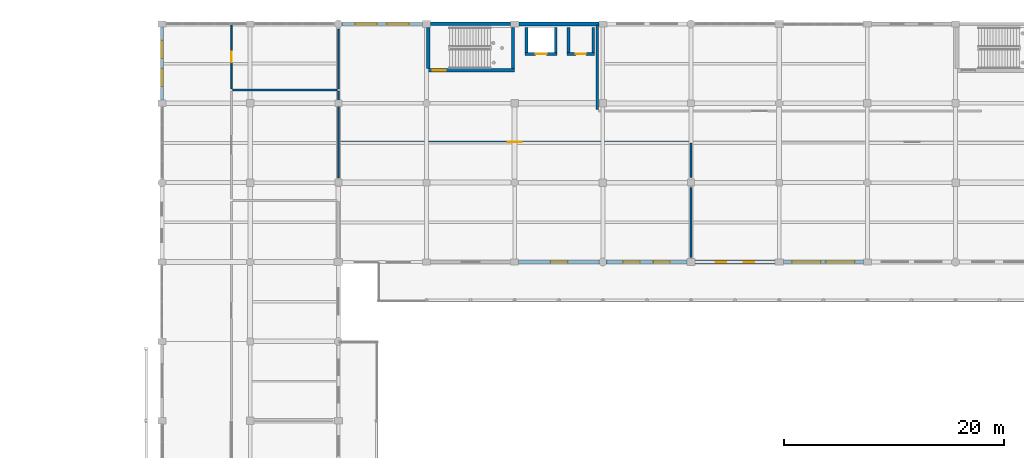
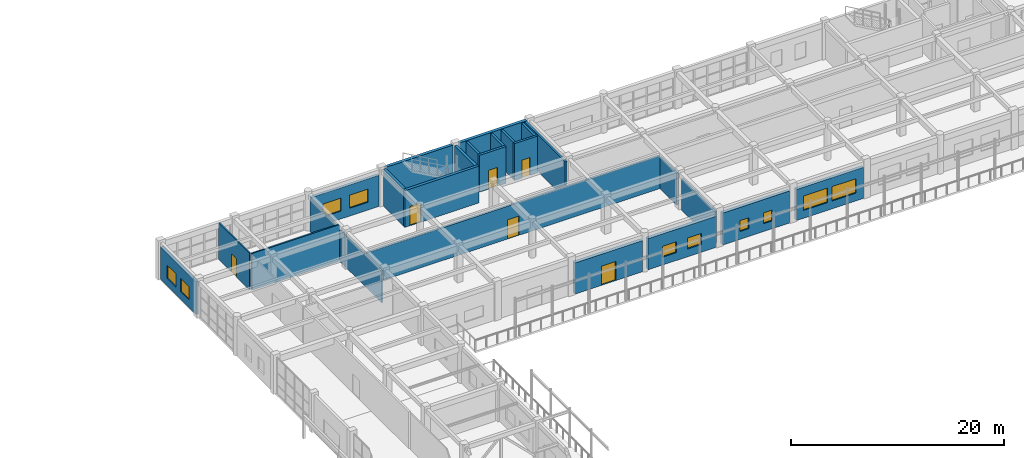
# One storey, part 131 of 160: 25 walls, 10 windows, 6 doors, 16 openings.
"""IFC4 building model written with IfcOpenShell, lengths in metres."""

from ifc_helpers import new_model, si_unit, direction, frame, frame_2d, origin, place, context, subcontext, project, spatial, rectangle, extrude, material, layer, layer_set, type_object, element, fill, save


model = new_model("IFC4")

# Units and contexts
model_context = context("Model", 3, precision=1e-05, world=origin(), true_north=direction((0.0, 1.0)))
body_context = subcontext(model_context, "Body", "Model", "MODEL_VIEW")
ifc_project = project(units=[si_unit("LENGTHUNIT", "METRE"), si_unit("AREAUNIT", "SQUARE_METRE"), si_unit("VOLUMEUNIT", "CUBIC_METRE"), si_unit("PLANEANGLEUNIT", "RADIAN"), si_unit("MASSUNIT", "GRAM", prefix="KILO")], contexts=[model_context])

# Site, building, storey
site_placement = place(None, origin())
site = spatial("IfcSite", under=ifc_project, at=site_placement, CompositionType="ELEMENT")
building_placement = place(site_placement, origin())
building = spatial("IfcBuilding", under=site, at=building_placement, Name="Kharva Crest Polytechnic", CompositionType="ELEMENT")
storey_placement = place(building_placement, frame((0.0, 0.0, 4.5)))
storey = spatial("IfcBuildingStorey", under=building, at=storey_placement, Name="L01", CompositionType="ELEMENT", Elevation=4.5)

# Wall, opening, door
ifc_material_1 = material(Name="Concrete C40/50", Category="concrete")
ifc_layer_1 = layer(ifc_material_1, 0.300048828125, Name="Concrete C40/50")
ifc_layer_set_1 = layer_set([ifc_layer_1], Name="Concrete C40/50")
wall_type_1 = type_object("IfcWallType", Name="WL-CORE-CW2-300", PredefinedType="SHEAR", material=ifc_layer_set_1)
wall_1_placement = place(storey_placement, frame((56.0, 117.7900390625, 0.0), z_axis=(0.0, 0.0, 1.0), x_axis=(1.0, 0.0, 0.0)))
wall_1 = element("IfcWall", 1, at=wall_1_placement, inside=storey, type_object=wall_type_1, Name="L01 North-West Lab Core C3 South Shear Wall", PredefinedType="SHEAR", context=body_context, shape_type="SweptSolid", body=[
    extrude(rectangle(XDim=8.0, YDim=0.300048828125, at=frame_2d((4.0, 0.0))), origin(), (0.0, 0.0, 1.0), 4.219970703125),
])
opening_1_placement = place(wall_1_placement, frame((0.550048828125, 0.0, 0.0)))
opening_1 = element("IfcOpeningElement", 2, at=opening_1_placement, cuts=wall_1, Name="Opening FD1", PredefinedType="OPENING", context=body_context, shape_type="SweptSolid", body=[
    extrude(rectangle(XDim=1.199951171875, YDim=2.199951171875, at=frame_2d((0.60009765625, 1.10009765625))), frame((0.0, 0.159912109375, 0.0), z_axis=(0.0, -1.0, 0.0), x_axis=(1.0, 0.0, 0.0)), (0.0, 0.0, 1.0), 0.320068359375),
])
ifc_material_2 = material(Name="Teak timber", Category="wood")
door_type_1 = type_object("IfcDoorType", Name="DR-STAIR-1200X2200", OperationType="NOTDEFINED", PredefinedType="DOOR", material=ifc_material_2)
door_1_placement = place(opening_1_placement, origin())
door_1 = element("IfcDoor", 3, at=door_1_placement, inside=storey, type_object=door_type_1, Name="L01 ST-03 Stair Door", OperationType="SINGLE_SWING_LEFT", OverallHeight=2.199951171875, OverallWidth=1.199951171875, PredefinedType="DOOR", context=body_context, shape_type="SweptSolid", body=[
    extrude(rectangle(XDim=1.199951171875, YDim=2.199951171875, at=frame_2d((0.60009765625, 1.10009765625))), frame((0.0, 0.02490234375, 0.0), z_axis=(0.0, -1.0, 0.0), x_axis=(1.0, 0.0, 0.0)), (0.0, 0.0, 1.0), 0.050048828125),
])
fill(opening_1, door_1)

# Walls
for number, where, z_axis, x_axis, name in (
    (4, (56.14990234375, 117.93994140625, 0.0), (0.0, 0.0, 1.0), (0.0, 1.0, 0.0), "L01 North-West Lab Core C3 West Shear Wall"),
    (5, (63.85009765625, 117.93994140625, 0.0), (0.0, 0.0, 1.0), (0.0, 1.0, 0.0), "L01 North-West Lab Core C3 East Shear Wall"),
):
    element("IfcWall", number, at=place(storey_placement, frame(where, z_axis=z_axis, x_axis=x_axis)), inside=storey, type_object=wall_type_1, Name=name, PredefinedType="SHEAR", context=body_context, shape_type="SweptSolid", body=[
        extrude(rectangle(XDim=3.760009765625, YDim=0.300048828125, at=frame_2d((1.8798828125, 0.0))), origin(), (0.0, 0.0, 1.0), 4.219970703125),
    ])

# Wall, openings, windows
ifc_material_3 = material(Name="Kiln brick masonry", Category="masonry")
ifc_layer_2 = layer(ifc_material_3, 0.260009765625, Name="Kiln brick masonry")
ifc_layer_set_2 = layer_set([ifc_layer_2], Name="Kiln brick masonry")
wall_type_2 = type_object("IfcWallType", Name="WL-EXT-BRK-260", PredefinedType="SOLIDWALL", material=ifc_layer_set_2)
wall_2_placement = place(storey_placement, frame((32.0, 121.72998046875, 0.0), z_axis=(0.0, 0.0, 1.0), x_axis=(0.0, -1.0, 0.0)))
wall_2 = element("IfcWall", 6, at=wall_2_placement, inside=storey, type_object=wall_type_2, Name="L01 Exterior Brick Wall 211", PredefinedType="SOLIDWALL", context=body_context, shape_type="SweptSolid", body=[
    extrude(rectangle(XDim=6.635009765625, YDim=0.260009765625, at=frame_2d((3.3173828125, 0.0))), origin(), (0.0, 0.0, 1.0), 3.760009765625),
])
opening_2_placement = place(wall_2_placement, frame((1.251953125, 0.0, 0.89990234375)))
opening_2 = element("IfcOpeningElement", 7, at=opening_2_placement, cuts=wall_2, Name="Opening W14", PredefinedType="OPENING", context=body_context, shape_type="SweptSolid", body=[
    extrude(rectangle(XDim=1.60009765625, YDim=1.5, at=frame_2d((0.800048828125, 0.75))), frame((0.0, 0.139892578125, 0.0), z_axis=(0.0, -1.0, 0.0), x_axis=(1.0, 0.0, 0.0)), (0.0, 0.0, 1.0), 0.280029296875),
])
opening_3_placement = place(wall_2_placement, frame((3.782958984375, 0.0, 0.89990234375)))
opening_3 = element("IfcOpeningElement", 8, at=opening_3_placement, cuts=wall_2, Name="Opening W14", PredefinedType="OPENING", context=body_context, shape_type="SweptSolid", body=[
    extrude(rectangle(XDim=1.60009765625, YDim=1.5, at=frame_2d((0.800048828125, 0.75))), frame((0.0, 0.139892578125, 0.0), z_axis=(0.0, -1.0, 0.0), x_axis=(1.0, 0.0, 0.0)), (0.0, 0.0, 1.0), 0.280029296875),
])
ifc_material_4 = material(Name="Anodised aluminium", Category="aluminium")
window_type_1 = type_object("IfcWindowType", Name="WIN-ALU-1600X1500", PartitioningType="SINGLE_PANEL", PredefinedType="WINDOW", material=ifc_material_4)
window_1_placement = place(opening_2_placement, origin())
window_1 = element("IfcWindow", 9, at=window_1_placement, inside=storey, type_object=window_type_1, Name="L01 Exterior Window 276", OverallHeight=1.5, OverallWidth=1.60009765625, PartitioningType="SINGLE_PANEL", PredefinedType="WINDOW", context=body_context, shape_type="SweptSolid", body=[
    extrude(rectangle(XDim=1.60009765625, YDim=1.5, at=frame_2d((0.800048828125, 0.75))), frame((0.0, 0.030029296875, 0.0), z_axis=(0.0, -1.0, 0.0), x_axis=(1.0, 0.0, 0.0)), (0.0, 0.0, 1.0), 0.06005859375),
])
fill(opening_2, window_1)
window_2_placement = place(opening_3_placement, origin())
window_2 = element("IfcWindow", 10, at=window_2_placement, inside=storey, type_object=window_type_1, Name="L01 Exterior Window 277", OverallHeight=1.5, OverallWidth=1.60009765625, PartitioningType="SINGLE_PANEL", PredefinedType="WINDOW", context=body_context, shape_type="SweptSolid", body=[
    extrude(rectangle(XDim=1.60009765625, YDim=1.5, at=frame_2d((0.800048828125, 0.75))), frame((0.0, 0.030029296875, 0.0), z_axis=(0.0, -1.0, 0.0), x_axis=(1.0, 0.0, 0.0)), (0.0, 0.0, 1.0), 0.06005859375),
])
fill(opening_3, window_2)

ifc_layer_3 = layer(ifc_material_3, 0.304931640625, Name="Kiln brick masonry")
ifc_layer_set_3 = layer_set([ifc_layer_3], Name="Kiln brick masonry")
wall_type_3 = type_object("IfcWallType", Name="WL-EXT-BRK-305", PredefinedType="SOLIDWALL", material=ifc_layer_set_3)
wall_3_placement = place(storey_placement, frame((55.6298828125, 122.0, 0.0), z_axis=(0.0, 0.0, 1.0), x_axis=(-1.0, 0.0, 0.0)))
wall_3 = element("IfcWall", 11, at=wall_3_placement, inside=storey, type_object=wall_type_3, Name="L01 Exterior Brick Wall 210", PredefinedType="SOLIDWALL", context=body_context, shape_type="SweptSolid", body=[
    extrude(rectangle(XDim=7.327392578125, YDim=0.304931640625, at=frame_2d((3.66357421875, 0.0))), origin(), (0.0, 0.0, 1.0), 3.570068359375),
])
opening_4_placement = place(wall_3_placement, frame((1.216064453125, 0.0, 0.89990234375)))
opening_4 = element("IfcOpeningElement", 12, at=opening_4_placement, cuts=wall_3, Name="Opening W12", PredefinedType="OPENING", context=body_context, shape_type="SweptSolid", body=[
    extrude(rectangle(XDim=2.0, YDim=1.5, at=frame_2d((1.0, 0.75))), frame((0.0, 0.162353515625, 0.0), z_axis=(0.0, -1.0, 0.0), x_axis=(1.0, 0.0, 0.0)), (0.0, 0.0, 1.0), 0.324951171875),
])
opening_5_placement = place(wall_3_placement, frame((4.112060546875, 0.0, 0.89990234375)))
opening_5 = element("IfcOpeningElement", 13, at=opening_5_placement, cuts=wall_3, Name="Opening W12", PredefinedType="OPENING", context=body_context, shape_type="SweptSolid", body=[
    extrude(rectangle(XDim=2.0, YDim=1.5, at=frame_2d((1.0, 0.75))), frame((0.0, 0.162353515625, 0.0), z_axis=(0.0, -1.0, 0.0), x_axis=(1.0, 0.0, 0.0)), (0.0, 0.0, 1.0), 0.324951171875),
])
window_type_2 = type_object("IfcWindowType", Name="WIN-ALU-2000X1500", PartitioningType="SINGLE_PANEL", PredefinedType="WINDOW", material=ifc_material_4)
window_3_placement = place(opening_4_placement, origin())
window_3 = element("IfcWindow", 14, at=window_3_placement, inside=storey, type_object=window_type_2, Name="L01 Exterior Window 274", OverallHeight=1.5, OverallWidth=2.0, PartitioningType="SINGLE_PANEL", PredefinedType="WINDOW", context=body_context, shape_type="SweptSolid", body=[
    extrude(rectangle(XDim=2.0, YDim=1.5, at=frame_2d((1.0, 0.75))), frame((0.0, 0.030029296875, 0.0), z_axis=(0.0, -1.0, 0.0), x_axis=(1.0, 0.0, 0.0)), (0.0, 0.0, 1.0), 0.06005859375),
])
fill(opening_4, window_3)
window_4_placement = place(opening_5_placement, origin())
window_4 = element("IfcWindow", 15, at=window_4_placement, inside=storey, type_object=window_type_2, Name="L01 Exterior Window 275", OverallHeight=1.5, OverallWidth=2.0, PartitioningType="SINGLE_PANEL", PredefinedType="WINDOW", context=body_context, shape_type="SweptSolid", body=[
    extrude(rectangle(XDim=2.0, YDim=1.5, at=frame_2d((1.0, 0.75))), frame((0.0, 0.030029296875, 0.0), z_axis=(0.0, -1.0, 0.0), x_axis=(1.0, 0.0, 0.0)), (0.0, 0.0, 1.0), 0.06005859375),
])
fill(opening_5, window_4)

# Wall
ifc_layer_4 = layer(ifc_material_3, 0.320068359375, Name="Kiln brick masonry")
ifc_layer_set_4 = layer_set([ifc_layer_4], Name="Kiln brick masonry")
wall_type_4 = type_object("IfcWallType", Name="WL-EXT-BRK-320", PredefinedType="SOLIDWALL", material=ifc_layer_set_4)
wall_4_placement = place(storey_placement, frame((63.6298828125, 122.0, 0.0), z_axis=(0.0, 0.0, 1.0), x_axis=(-1.0, 0.0, 0.0)))
element("IfcWall", 16, at=wall_4_placement, inside=storey, type_object=wall_type_4, Name="L01 Exterior Brick Wall 209", PredefinedType="SOLIDWALL", context=body_context, shape_type="SweptSolid", body=[
    extrude(rectangle(XDim=7.259765625, YDim=0.320068359375, at=frame_2d((3.6298828125, 0.0))), origin(), (0.0, 0.0, 1.0), 4.219970703125),
])

# Wall, openings, windows
ifc_layer_5 = layer(ifc_material_3, 0.3349609375, Name="Kiln brick masonry")
ifc_layer_set_5 = layer_set([ifc_layer_5], Name="Kiln brick masonry")
wall_type_5 = type_object("IfcWallType", Name="WL-EXT-BRK-335", PredefinedType="SOLIDWALL", material=ifc_layer_set_5)
wall_5_placement = place(storey_placement, frame((88.3701171875, 100.39990234375, 0.0), z_axis=(0.0, 0.0, 1.0), x_axis=(1.0, 0.0, 0.0)))
wall_5 = element("IfcWall", 17, at=wall_5_placement, inside=storey, type_object=wall_type_5, Name="L01 Exterior Brick Wall 183", PredefinedType="SOLIDWALL", context=body_context, shape_type="SweptSolid", body=[
    extrude(rectangle(XDim=7.27490234375, YDim=0.3349609375, at=frame_2d((3.637451171875, 0.0))), origin(), (0.0, 0.0, 1.0), 3.570068359375),
])
opening_6_placement = place(wall_5_placement, frame((0.798095703125, 0.0, 0.89990234375)))
opening_6 = element("IfcOpeningElement", 18, at=opening_6_placement, cuts=wall_5, Name="Opening W24", PredefinedType="OPENING", context=body_context, shape_type="SweptSolid", body=[
    extrude(rectangle(XDim=2.60009765625, YDim=1.64990234375, at=frame_2d((1.300048828125, 0.824951171875))), frame((0.0, 0.177490234375, 0.0), z_axis=(0.0, -1.0, 0.0), x_axis=(1.0, 0.0, 0.0)), (0.0, 0.0, 1.0), 0.35498046875),
])
opening_7_placement = place(wall_5_placement, frame((3.876953125, 0.0, 0.89990234375)))
opening_7 = element("IfcOpeningElement", 19, at=opening_7_placement, cuts=wall_5, Name="Opening W24", PredefinedType="OPENING", context=body_context, shape_type="SweptSolid", body=[
    extrude(rectangle(XDim=2.60009765625, YDim=1.64990234375, at=frame_2d((1.300048828125, 0.824951171875))), frame((0.0, 0.177490234375, 0.0), z_axis=(0.0, -1.0, 0.0), x_axis=(1.0, 0.0, 0.0)), (0.0, 0.0, 1.0), 0.35498046875),
])
window_type_3 = type_object("IfcWindowType", Name="WIN-ALU-2600X1650", PartitioningType="SINGLE_PANEL", PredefinedType="WINDOW", material=ifc_material_4)
window_5_placement = place(opening_6_placement, origin())
window_5 = element("IfcWindow", 20, at=window_5_placement, inside=storey, type_object=window_type_3, Name="L01 Exterior Window 238", OverallHeight=1.64990234375, OverallWidth=2.60009765625, PartitioningType="SINGLE_PANEL", PredefinedType="WINDOW", context=body_context, shape_type="SweptSolid", body=[
    extrude(rectangle(XDim=2.60009765625, YDim=1.64990234375, at=frame_2d((1.300048828125, 0.824951171875))), frame((0.0, 0.030029296875, 0.0), z_axis=(0.0, -1.0, 0.0), x_axis=(1.0, 0.0, 0.0)), (0.0, 0.0, 1.0), 0.06005859375),
])
fill(opening_6, window_5)
window_6_placement = place(opening_7_placement, origin())
window_6 = element("IfcWindow", 21, at=window_6_placement, inside=storey, type_object=window_type_3, Name="L01 Exterior Window 239", OverallHeight=1.64990234375, OverallWidth=2.60009765625, PartitioningType="SINGLE_PANEL", PredefinedType="WINDOW", context=body_context, shape_type="SweptSolid", body=[
    extrude(rectangle(XDim=2.60009765625, YDim=1.64990234375, at=frame_2d((1.300048828125, 0.824951171875))), frame((0.0, 0.030029296875, 0.0), z_axis=(0.0, -1.0, 0.0), x_axis=(1.0, 0.0, 0.0)), (0.0, 0.0, 1.0), 0.06005859375),
])
fill(opening_7, window_6)

# Wall
wall_6_placement = place(storey_placement, frame((71.64501953125, 122.0, 0.0), z_axis=(0.0, 0.0, 1.0), x_axis=(-1.0, 0.0, 0.0)))
element("IfcWall", 22, at=wall_6_placement, inside=storey, type_object=wall_type_5, Name="L01 Exterior Brick Wall 208", PredefinedType="SOLIDWALL", context=body_context, shape_type="SweptSolid", body=[
    extrude(rectangle(XDim=7.27490234375, YDim=0.3349609375, at=frame_2d((3.637451171875, 0.0))), origin(), (0.0, 0.0, 1.0), 4.219970703125),
])

# Wall, openings, windows
ifc_layer_6 = layer(ifc_material_3, 0.35009765625, Name="Kiln brick masonry")
ifc_layer_set_6 = layer_set([ifc_layer_6], Name="Kiln brick masonry")
wall_type_6 = type_object("IfcWallType", Name="WL-EXT-BRK-350", PredefinedType="SOLIDWALL", material=ifc_layer_set_6)
wall_7_placement = place(storey_placement, frame((80.3701171875, 100.39990234375, 0.0), z_axis=(0.0, 0.0, 1.0), x_axis=(1.0, 0.0, 0.0)))
wall_7 = element("IfcWall", 23, at=wall_7_placement, inside=storey, type_object=wall_type_6, Name="L01 Exterior Brick Wall 182", PredefinedType="SOLIDWALL", context=body_context, shape_type="SweptSolid", body=[
    extrude(rectangle(XDim=7.259765625, YDim=0.35009765625, at=frame_2d((3.6298828125, 0.0))), origin(), (0.0, 0.0, 1.0), 3.669921875),
])
opening_8_placement = place(wall_7_placement, frame((1.89306640625, 0.0, 0.89990234375)))
opening_8 = element("IfcOpeningElement", 24, at=opening_8_placement, cuts=wall_7, Name="Opening W22", PredefinedType="OPENING", context=body_context, shape_type="SweptSolid", body=[
    extrude(rectangle(XDim=0.949951171875, YDim=1.25, at=frame_2d((0.47509765625, 0.625))), frame((0.0, 0.18505859375, 0.0), z_axis=(0.0, -1.0, 0.0), x_axis=(1.0, 0.0, 0.0)), (0.0, 0.0, 1.0), 0.3701171875),
])
opening_9_placement = place(wall_7_placement, frame((4.4169921875, 0.0, 0.89990234375)))
opening_9 = element("IfcOpeningElement", 25, at=opening_9_placement, cuts=wall_7, Name="Opening W22", PredefinedType="OPENING", context=body_context, shape_type="SweptSolid", body=[
    extrude(rectangle(XDim=0.949951171875, YDim=1.25, at=frame_2d((0.47509765625, 0.625))), frame((0.0, 0.18505859375, 0.0), z_axis=(0.0, -1.0, 0.0), x_axis=(1.0, 0.0, 0.0)), (0.0, 0.0, 1.0), 0.3701171875),
])
window_type_4 = type_object("IfcWindowType", Name="WIN-ALU-950X1250", PartitioningType="SINGLE_PANEL", PredefinedType="WINDOW", material=ifc_material_4)
window_7_placement = place(opening_8_placement, origin())
window_7 = element("IfcWindow", 26, at=window_7_placement, inside=storey, type_object=window_type_4, Name="L01 Exterior Window 236", OverallHeight=1.25, OverallWidth=0.949951171875, PartitioningType="SINGLE_PANEL", PredefinedType="WINDOW", context=body_context, shape_type="SweptSolid", body=[
    extrude(rectangle(XDim=0.949951171875, YDim=1.25, at=frame_2d((0.47509765625, 0.625))), frame((0.0, 0.030029296875, 0.0), z_axis=(0.0, -1.0, 0.0), x_axis=(1.0, 0.0, 0.0)), (0.0, 0.0, 1.0), 0.06005859375),
])
fill(opening_8, window_7)
window_8_placement = place(opening_9_placement, origin())
window_8 = element("IfcWindow", 27, at=window_8_placement, inside=storey, type_object=window_type_4, Name="L01 Exterior Window 237", OverallHeight=1.25, OverallWidth=0.949951171875, PartitioningType="SINGLE_PANEL", PredefinedType="WINDOW", context=body_context, shape_type="SweptSolid", body=[
    extrude(rectangle(XDim=0.949951171875, YDim=1.25, at=frame_2d((0.47509765625, 0.625))), frame((0.0, 0.030029296875, 0.0), z_axis=(0.0, -1.0, 0.0), x_axis=(1.0, 0.0, 0.0)), (0.0, 0.0, 1.0), 0.06005859375),
])
fill(opening_9, window_8)

ifc_layer_7 = layer(ifc_material_3, 0.364990234375, Name="Kiln brick masonry")
ifc_layer_set_7 = layer_set([ifc_layer_7], Name="Kiln brick masonry")
wall_type_7 = type_object("IfcWallType", Name="WL-EXT-BRK-365", PredefinedType="SOLIDWALL", material=ifc_layer_set_7)
wall_8_placement = place(storey_placement, frame((72.302490234375, 100.39990234375, 0.0), z_axis=(0.0, 0.0, 1.0), x_axis=(1.0, 0.0, 0.0)))
wall_8 = element("IfcWall", 28, at=wall_8_placement, inside=storey, type_object=wall_type_7, Name="L01 Exterior Brick Wall 181", PredefinedType="SOLIDWALL", context=body_context, shape_type="SweptSolid", body=[
    extrude(rectangle(XDim=7.327392578125, YDim=0.364990234375, at=frame_2d((3.66357421875, 0.0))), origin(), (0.0, 0.0, 1.0), 3.570068359375),
])
opening_10_placement = place(wall_8_placement, frame((1.549072265625, 0.0, 0.89990234375)))
opening_10 = element("IfcOpeningElement", 29, at=opening_10_placement, cuts=wall_8, Name="Opening W20", PredefinedType="OPENING", context=body_context, shape_type="SweptSolid", body=[
    extrude(rectangle(XDim=1.5, YDim=1.25, at=frame_2d((0.75, 0.625))), frame((0.0, 0.1923828125, 0.0), z_axis=(0.0, -1.0, 0.0), x_axis=(1.0, 0.0, 0.0)), (0.0, 0.0, 1.0), 0.385009765625),
])
opening_11_placement = place(wall_8_placement, frame((4.278076171875, 0.0, 0.89990234375)))
opening_11 = element("IfcOpeningElement", 30, at=opening_11_placement, cuts=wall_8, Name="Opening W20", PredefinedType="OPENING", context=body_context, shape_type="SweptSolid", body=[
    extrude(rectangle(XDim=1.5, YDim=1.25, at=frame_2d((0.75, 0.625))), frame((0.0, 0.1923828125, 0.0), z_axis=(0.0, -1.0, 0.0), x_axis=(1.0, 0.0, 0.0)), (0.0, 0.0, 1.0), 0.385009765625),
])
window_type_5 = type_object("IfcWindowType", Name="WIN-ALU-1500X1250", PartitioningType="SINGLE_PANEL", PredefinedType="WINDOW", material=ifc_material_4)
window_9_placement = place(opening_10_placement, origin())
window_9 = element("IfcWindow", 31, at=window_9_placement, inside=storey, type_object=window_type_5, Name="L01 Exterior Window 234", OverallHeight=1.25, OverallWidth=1.5, PartitioningType="SINGLE_PANEL", PredefinedType="WINDOW", context=body_context, shape_type="SweptSolid", body=[
    extrude(rectangle(XDim=1.5, YDim=1.25, at=frame_2d((0.75, 0.625))), frame((0.0, 0.030029296875, 0.0), z_axis=(0.0, -1.0, 0.0), x_axis=(1.0, 0.0, 0.0)), (0.0, 0.0, 1.0), 0.06005859375),
])
fill(opening_10, window_9)
window_10_placement = place(opening_11_placement, origin())
window_10 = element("IfcWindow", 32, at=window_10_placement, inside=storey, type_object=window_type_5, Name="L01 Exterior Window 235", OverallHeight=1.25, OverallWidth=1.5, PartitioningType="SINGLE_PANEL", PredefinedType="WINDOW", context=body_context, shape_type="SweptSolid", body=[
    extrude(rectangle(XDim=1.5, YDim=1.25, at=frame_2d((0.75, 0.625))), frame((0.0, 0.030029296875, 0.0), z_axis=(0.0, -1.0, 0.0), x_axis=(1.0, 0.0, 0.0)), (0.0, 0.0, 1.0), 0.06005859375),
])
fill(opening_11, window_10)

# Wall, opening, door
ifc_layer_8 = layer(ifc_material_3, 0.3798828125, Name="Kiln brick masonry")
ifc_layer_set_8 = layer_set([ifc_layer_8], Name="Kiln brick masonry")
wall_type_8 = type_object("IfcWallType", Name="WL-EXT-BRK-380", PredefinedType="SOLIDWALL", material=ifc_layer_set_8)
wall_9_placement = place(storey_placement, frame((64.35498046875, 100.39990234375, 0.0), z_axis=(0.0, 0.0, 1.0), x_axis=(1.0, 0.0, 0.0)))
wall_9 = element("IfcWall", 33, at=wall_9_placement, inside=storey, type_object=wall_type_8, Name="L01 Exterior Brick Wall 180", PredefinedType="SOLIDWALL", context=body_context, shape_type="SweptSolid", body=[
    extrude(rectangle(XDim=7.342529296875, YDim=0.3798828125, at=frame_2d((3.67138671875, 0.0))), origin(), (0.0, 0.0, 1.0), 3.570068359375),
])
opening_12_placement = place(wall_9_placement, frame((2.89599609375, 0.0, 0.0)))
opening_12 = element("IfcOpeningElement", 34, at=opening_12_placement, cuts=wall_9, Name="Opening ED8", PredefinedType="OPENING", context=body_context, shape_type="SweptSolid", body=[
    extrude(rectangle(XDim=1.550048828125, YDim=2.199951171875, at=frame_2d((0.77490234375, 1.10009765625))), frame((0.0, 0.199951171875, 0.0), z_axis=(0.0, -1.0, 0.0), x_axis=(1.0, 0.0, 0.0)), (0.0, 0.0, 1.0), 0.39990234375),
])
door_type_2 = type_object("IfcDoorType", Name="DR-EXT-TER-1550X2200", OperationType="NOTDEFINED", PredefinedType="DOOR", material=ifc_material_4)
door_2_placement = place(opening_12_placement, frame((1.550048828125, 0.0, 0.0), z_axis=(0.0, 0.0, 1.0), x_axis=(-1.0, 0.0, 0.0)))
door_2 = element("IfcDoor", 35, at=door_2_placement, inside=storey, type_object=door_type_2, Name="L01 VER_N_L01 Access Door 37", OperationType="DOUBLE_DOOR_SINGLE_SWING", OverallHeight=2.199951171875, OverallWidth=1.550048828125, PredefinedType="DOOR", context=body_context, shape_type="SweptSolid", body=[
    extrude(rectangle(XDim=1.550048828125, YDim=2.199951171875, at=frame_2d((0.77490234375, 1.10009765625))), frame((0.0, 0.02490234375, 0.0), z_axis=(0.0, -1.0, 0.0), x_axis=(1.0, 0.0, 0.0)), (0.0, 0.0, 1.0), 0.050048828125),
])
fill(opening_12, door_2)

# Wall
ifc_layer_9 = layer(ifc_material_3, 0.1201171875, Name="Kiln brick masonry")
ifc_layer_set_9 = layer_set([ifc_layer_9], Name="Kiln brick masonry")
wall_type_9 = type_object("IfcWallType", Name="WL-PART-120", PredefinedType="PARTITIONING", material=ifc_layer_set_9)
wall_10_placement = place(storey_placement, frame((48.0, 116.1201171875, 0.0), z_axis=(0.0, 0.0, 1.0), x_axis=(0.0, 1.0, 0.0)))
element("IfcWall", 36, at=wall_10_placement, inside=storey, type_object=wall_type_9, Name="L01 Interior Partition 126", PredefinedType="PARTITIONING", context=body_context, shape_type="SweptSolid", body=[
    extrude(rectangle(XDim=5.389892578125, YDim=0.1201171875, at=frame_2d((2.69482421875, 0.0))), origin(), (0.0, 0.0, 1.0), 3.699951171875),
])

# Wall, opening, door
ifc_layer_10 = layer(ifc_material_3, 0.1298828125, Name="Kiln brick masonry")
ifc_layer_set_10 = layer_set([ifc_layer_10], Name="Kiln brick masonry")
wall_type_10 = type_object("IfcWallType", Name="WL-PART-130", PredefinedType="PARTITIONING", material=ifc_layer_set_10)
wall_11_placement = place(storey_placement, frame((38.31005859375, 116.1201171875, 0.0), z_axis=(0.0, 0.0, 1.0), x_axis=(0.0, 1.0, 0.0)))
wall_11 = element("IfcWall", 37, at=wall_11_placement, inside=storey, type_object=wall_type_10, Name="L01 Interior Partition 125", PredefinedType="PARTITIONING", context=body_context, shape_type="SweptSolid", body=[
    extrude(rectangle(XDim=5.769775390625, YDim=0.1298828125, at=frame_2d((2.884765625, 0.0))), origin(), (0.0, 0.0, 1.0), 4.199951171875),
])
opening_13_placement = place(wall_11_placement, frame((2.409912109375, 0.0, 0.0)))
opening_13 = element("IfcOpeningElement", 38, at=opening_13_placement, cuts=wall_11, Name="Opening ID14", PredefinedType="OPENING", context=body_context, shape_type="SweptSolid", body=[
    extrude(rectangle(XDim=0.949951171875, YDim=2.10009765625, at=frame_2d((0.47509765625, 1.050048828125))), frame((0.0, 0.074951171875, 0.0), z_axis=(0.0, -1.0, 0.0), x_axis=(1.0, 0.0, 0.0)), (0.0, 0.0, 1.0), 0.14990234375),
])
door_type_3 = type_object("IfcDoorType", Name="DR-WC-950X2100", OperationType="NOTDEFINED", PredefinedType="DOOR", material=ifc_material_2)
door_3_placement = place(opening_13_placement, origin())
door_3 = element("IfcDoor", 39, at=door_3_placement, inside=storey, type_object=door_type_3, Name="L01 Mezzanine Washrooms and Accessible WC L01 Door", OperationType="SINGLE_SWING_LEFT", OverallHeight=2.10009765625, OverallWidth=0.949951171875, PredefinedType="DOOR", context=body_context, shape_type="SweptSolid", body=[
    extrude(rectangle(XDim=0.949951171875, YDim=2.10009765625, at=frame_2d((0.47509765625, 1.050048828125))), frame((0.0, 0.02490234375, 0.0), z_axis=(0.0, -1.0, 0.0), x_axis=(1.0, 0.0, 0.0)), (0.0, 0.0, 1.0), 0.050048828125),
])
fill(opening_13, door_3)

# Walls
ifc_layer_11 = layer(ifc_material_3, 0.139892578125, Name="Kiln brick masonry")
ifc_layer_set_11 = layer_set([ifc_layer_11], Name="Kiln brick masonry")
wall_type_11 = type_object("IfcWallType", Name="WL-PART-140", PredefinedType="PARTITIONING", material=ifc_layer_set_11)
wall_12_placement = place(storey_placement, frame((48.0, 108.054931640625, 0.0), z_axis=(0.0, 0.0, 1.0), x_axis=(0.0, 1.0, 0.0)))
element("IfcWall", 40, at=wall_12_placement, inside=storey, type_object=wall_type_11, Name="L01 Interior Partition 124", PredefinedType="PARTITIONING", context=body_context, shape_type="SweptSolid", body=[
    extrude(rectangle(XDim=7.8349609375, YDim=0.139892578125, at=frame_2d((3.91748046875, 0.0))), origin(), (0.0, 0.0, 1.0), 3.639892578125),
])
ifc_layer_12 = layer(ifc_material_3, 0.159912109375, Name="Kiln brick masonry")
ifc_layer_set_12 = layer_set([ifc_layer_12], Name="Kiln brick masonry")
wall_type_12 = type_object("IfcWallType", Name="WL-PART-160", PredefinedType="PARTITIONING", material=ifc_layer_set_12)
wall_13_placement = place(storey_placement, frame((38.419921875, 116.0, 0.0), z_axis=(0.0, 0.0, 1.0), x_axis=(1.0, 0.0, 0.0)))
element("IfcWall", 41, at=wall_13_placement, inside=storey, type_object=wall_type_12, Name="L01 Interior Partition 122", PredefinedType="PARTITIONING", context=body_context, shape_type="SweptSolid", body=[
    extrude(rectangle(XDim=9.469970703125, YDim=0.159912109375, at=frame_2d((4.73486328125, 0.0))), origin(), (0.0, 0.0, 1.0), 4.199951171875),
])
ifc_layer_13 = layer(ifc_material_3, 0.205078125, Name="Kiln brick masonry")
ifc_layer_set_13 = layer_set([ifc_layer_13], Name="Kiln brick masonry")
wall_type_13 = type_object("IfcWallType", Name="WL-PART-205", PredefinedType="PARTITIONING", material=ifc_layer_set_13)
wall_14_placement = place(storey_placement, frame((80.0, 108.054931640625, 0.0), z_axis=(0.0, 0.0, 1.0), x_axis=(0.0, 1.0, 0.0)))
element("IfcWall", 42, at=wall_14_placement, inside=storey, type_object=wall_type_13, Name="L01 Interior Partition 174", PredefinedType="PARTITIONING", context=body_context, shape_type="SweptSolid", body=[
    extrude(rectangle(XDim=3.125, YDim=0.205078125, at=frame_2d((1.5625, 0.0))), origin(), (0.0, 0.0, 1.0), 3.639892578125),
])
ifc_layer_14 = layer(ifc_material_3, 0.215087890625, Name="Kiln brick masonry")
ifc_layer_set_14 = layer_set([ifc_layer_14], Name="Kiln brick masonry")
wall_type_14 = type_object("IfcWallType", Name="WL-PART-215", PredefinedType="PARTITIONING", material=ifc_layer_set_14)
wall_15_placement = place(storey_placement, frame((80.0, 100.830078125, 0.0), z_axis=(0.0, 0.0, 1.0), x_axis=(0.0, 1.0, 0.0)))
element("IfcWall", 43, at=wall_15_placement, inside=storey, type_object=wall_type_14, Name="L01 Interior Partition 173", PredefinedType="PARTITIONING", context=body_context, shape_type="SweptSolid", body=[
    extrude(rectangle(XDim=6.31494140625, YDim=0.215087890625, at=frame_2d((3.157470703125, 0.0))), origin(), (0.0, 0.0, 1.0), 3.60009765625),
])

# Wall, opening, door
ifc_layer_15 = layer(ifc_material_3, 0.22509765625, Name="Kiln brick masonry")
ifc_layer_set_15 = layer_set([ifc_layer_15], Name="Kiln brick masonry")
wall_type_15 = type_object("IfcWallType", Name="WL-PART-225", PredefinedType="PARTITIONING", material=ifc_layer_set_15)
wall_16_placement = place(storey_placement, frame((48.118896484375, 111.2900390625, 0.0), z_axis=(0.0, 0.0, 1.0), x_axis=(1.0, 0.0, 0.0)))
wall_16 = element("IfcWall", 44, at=wall_16_placement, inside=storey, type_object=wall_type_15, Name="L01 Interior Partition 172", PredefinedType="PARTITIONING", context=body_context, shape_type="SweptSolid", body=[
    extrude(rectangle(XDim=31.77099609375, YDim=0.22509765625, at=frame_2d((15.885498046875, 0.0))), origin(), (0.0, 0.0, 1.0), 3.760009765625),
])
opening_14_placement = place(wall_16_placement, frame((15.2451171875, 0.0, 0.0)))
opening_14 = element("IfcOpeningElement", 45, at=opening_14_placement, cuts=wall_16, Name="Opening ID7", PredefinedType="OPENING", context=body_context, shape_type="SweptSolid", body=[
    extrude(rectangle(XDim=1.280029296875, YDim=2.199951171875, at=frame_2d((0.64013671875, 1.10009765625))), frame((0.0, 0.12255859375, 0.0), z_axis=(0.0, -1.0, 0.0), x_axis=(1.0, 0.0, 0.0)), (0.0, 0.0, 1.0), 0.2451171875),
])
door_type_4 = type_object("IfcDoorType", Name="DR-LAB-1280X2200", OperationType="NOTDEFINED", PredefinedType="DOOR", material=ifc_material_2)
door_4_placement = place(opening_14_placement, origin())
door_4 = element("IfcDoor", 46, at=door_4_placement, inside=storey, type_object=door_type_4, Name="L01 Applied Physics Laboratory Door", OperationType="SINGLE_SWING_LEFT", OverallHeight=2.199951171875, OverallWidth=1.280029296875, PredefinedType="DOOR", context=body_context, shape_type="SweptSolid", body=[
    extrude(rectangle(XDim=1.280029296875, YDim=2.199951171875, at=frame_2d((0.64013671875, 1.10009765625))), frame((0.0, 0.02490234375, 0.0), z_axis=(0.0, -1.0, 0.0), x_axis=(1.0, 0.0, 0.0)), (0.0, 0.0, 1.0), 0.050048828125),
])
fill(opening_14, door_4)

# Wall
wall_17_placement = place(storey_placement, frame((71.5, 114.219970703125, 0.0), z_axis=(0.0, 0.0, 1.0), x_axis=(0.0, 1.0, 0.0)))
element("IfcWall", 47, at=wall_17_placement, inside=storey, type_object=wall_type_15, Name="L01 Interior Partition 184", PredefinedType="PARTITIONING", context=body_context, shape_type="SweptSolid", body=[
    extrude(rectangle(XDim=7.669921875, YDim=0.22509765625, at=frame_2d((3.8349609375, 0.0))), origin(), (0.0, 0.0, 1.0), 4.199951171875),
])

# Wall, opening, door
ifc_layer_16 = layer(ifc_material_1, 0.25, Name="Concrete C40/50")
ifc_layer_set_16 = layer_set([ifc_layer_16], Name="Concrete C40/50")
wall_type_16 = type_object("IfcWallType", Name="WL-SHEAR-SW1-250", PredefinedType="SHEAR", material=ifc_layer_set_16)
wall_18_placement = place(storey_placement, frame((64.949951171875, 119.27490234375, 0.0), z_axis=(0.0, 0.0, 1.0), x_axis=(1.0, 0.0, 0.0)))
wall_18 = element("IfcWall", 48, at=wall_18_placement, inside=storey, type_object=wall_type_16, Name="L01 Lift PL3 South Shaft Wall", PredefinedType="SHEAR", context=body_context, shape_type="SweptSolid", body=[
    extrude(rectangle(XDim=2.900146484375, YDim=0.25, at=frame_2d((1.4501953125, 0.0))), origin(), (0.0, 0.0, 1.0), 4.219970703125),
])
opening_15_placement = place(wall_18_placement, frame((0.949951171875, 0.0, 0.0)))
opening_15 = element("IfcOpeningElement", 49, at=opening_15_placement, cuts=wall_18, Name="Opening LD2", PredefinedType="OPENING", context=body_context, shape_type="SweptSolid", body=[
    extrude(rectangle(XDim=1.0, YDim=2.14990234375, at=frame_2d((0.5, 1.074951171875))), frame((0.0, 0.135009765625, 0.0), z_axis=(0.0, -1.0, 0.0), x_axis=(1.0, 0.0, 0.0)), (0.0, 0.0, 1.0), 0.27001953125),
])
door_type_5 = type_object("IfcDoorType", Name="DR-LIFT-LD2-1000X2150", OperationType="SLIDING_TO_LEFT", PredefinedType="DOOR", material=ifc_material_4)
door_5_placement = place(opening_15_placement, origin())
door_5 = element("IfcDoor", 50, at=door_5_placement, inside=storey, type_object=door_type_5, Name="L01 Lift PL3 Sliding Landing Door", OperationType="SLIDING_TO_LEFT", OverallHeight=2.14990234375, OverallWidth=1.0, PredefinedType="DOOR", context=body_context, shape_type="SweptSolid", body=[
    extrude(rectangle(XDim=1.0, YDim=2.14990234375, at=frame_2d((0.5, 1.074951171875))), frame((0.0, 0.02490234375, 0.0), z_axis=(0.0, -1.0, 0.0), x_axis=(1.0, 0.0, 0.0)), (0.0, 0.0, 1.0), 0.050048828125),
])
fill(opening_15, door_5)

# Walls
for number, where, z_axis, x_axis, name in (
    (51, (65.074951171875, 119.39990234375, 0.0), (0.0, 0.0, 1.0), (0.0, 1.0, 0.0), "L01 Lift PL3 West Shaft Wall"),
    (52, (67.72509765625, 119.39990234375, 0.0), (0.0, 0.0, 1.0), (0.0, 1.0, 0.0), "L01 Lift PL3 East Shaft Wall"),
):
    element("IfcWall", number, at=place(storey_placement, frame(where, z_axis=z_axis, x_axis=x_axis)), inside=storey, type_object=wall_type_16, Name=name, PredefinedType="SHEAR", context=body_context, shape_type="SweptSolid", body=[
        extrude(rectangle(XDim=2.300048828125, YDim=0.25, at=frame_2d((1.14990234375, 0.0))), origin(), (0.0, 0.0, 1.0), 4.219970703125),
    ])

# Wall, opening, door
wall_19_placement = place(storey_placement, frame((68.75, 119.27490234375, 0.0), z_axis=(0.0, 0.0, 1.0), x_axis=(1.0, 0.0, 0.0)))
wall_19 = element("IfcWall", 53, at=wall_19_placement, inside=storey, type_object=wall_type_16, Name="L01 Core C3 Riser South Wall", PredefinedType="SHEAR", context=body_context, shape_type="SweptSolid", body=[
    extrude(rectangle(XDim=2.5, YDim=0.25, at=frame_2d((1.25, 0.0))), origin(), (0.0, 0.0, 1.0), 4.219970703125),
])
opening_16_placement = place(wall_19_placement, frame((0.800048828125, 0.0, 0.0)))
opening_16 = element("IfcOpeningElement", 54, at=opening_16_placement, cuts=wall_19, Name="Opening FD3", PredefinedType="OPENING", context=body_context, shape_type="SweptSolid", body=[
    extrude(rectangle(XDim=0.89990234375, YDim=2.050048828125, at=frame_2d((0.449951171875, 1.02490234375))), frame((0.0, 0.135009765625, 0.0), z_axis=(0.0, -1.0, 0.0), x_axis=(1.0, 0.0, 0.0)), (0.0, 0.0, 1.0), 0.27001953125),
])
door_type_6 = type_object("IfcDoorType", Name="DR-RISER-900X2050", OperationType="NOTDEFINED", PredefinedType="DOOR", material=ifc_material_4)
door_6_placement = place(opening_16_placement, origin())
door_6 = element("IfcDoor", 55, at=door_6_placement, inside=storey, type_object=door_type_6, Name="L01 Core C3 Riser Access Door", OperationType="SINGLE_SWING_RIGHT", OverallHeight=2.050048828125, OverallWidth=0.89990234375, PredefinedType="DOOR", context=body_context, shape_type="SweptSolid", body=[
    extrude(rectangle(XDim=0.89990234375, YDim=2.050048828125, at=frame_2d((0.449951171875, 1.02490234375))), frame((0.0, 0.02490234375, 0.0), z_axis=(0.0, -1.0, 0.0), x_axis=(1.0, 0.0, 0.0)), (0.0, 0.0, 1.0), 0.050048828125),
])
fill(opening_16, door_6)

# Walls
for number, where, z_axis, x_axis, name in (
    (56, (68.875, 119.39990234375, 0.0), (0.0, 0.0, 1.0), (0.0, 1.0, 0.0), "L01 Core C3 Riser West Wall"),
    (57, (71.125, 119.39990234375, 0.0), (0.0, 0.0, 1.0), (0.0, 1.0, 0.0), "L01 Core C3 Riser East Wall"),
):
    element("IfcWall", number, at=place(storey_placement, frame(where, z_axis=z_axis, x_axis=x_axis)), inside=storey, type_object=wall_type_16, Name=name, PredefinedType="SHEAR", context=body_context, shape_type="SweptSolid", body=[
        extrude(rectangle(XDim=2.300048828125, YDim=0.25, at=frame_2d((1.14990234375, 0.0))), origin(), (0.0, 0.0, 1.0), 4.219970703125),
    ])

save(model, "model.ifc")
